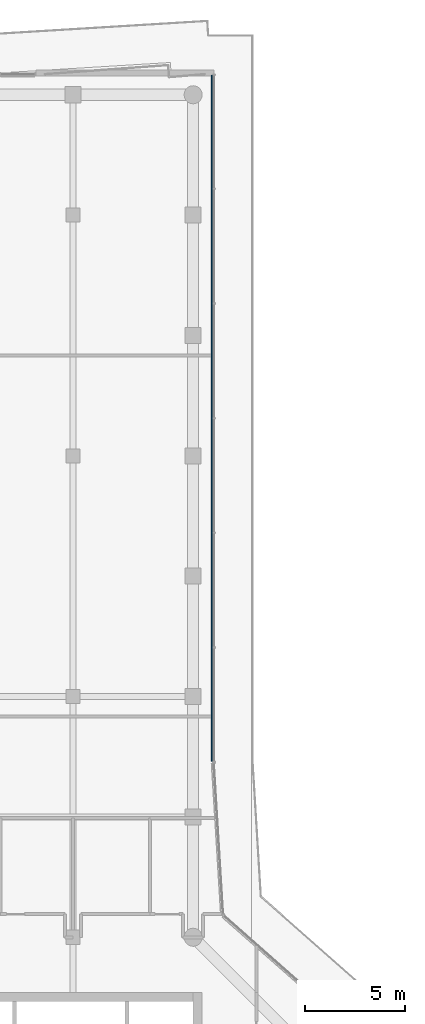
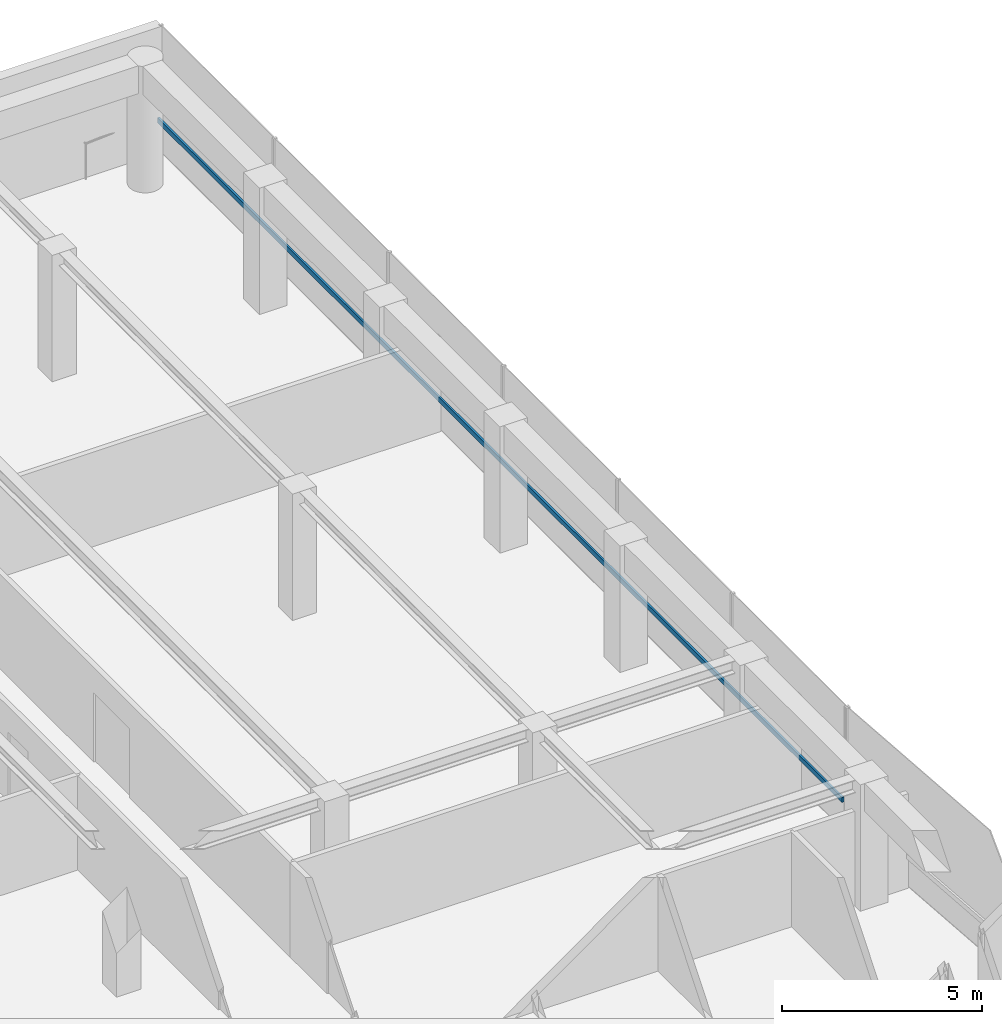
# One storey, part 13 of 21: 1 member, 1 element without a shape of its own.
"""IFC4 building model written with IfcOpenShell, lengths in metres."""

from ifc_helpers import new_model, si_unit, direction, frame, origin, origin_2d, place, context, subcontext, project, spatial, rectangle, extrude, material, layer, layer_set, material_profile, profile_set, type_object, element, aggregate, save


model = new_model("IFC4")

# Units and contexts
model_context = context("Model", 3, precision=1e-05, world=origin(), true_north=direction((0.0, 1.0)))
body_context = subcontext(model_context, "Body", "Model", "MODEL_VIEW")
ifc_project = project(units=[si_unit("LENGTHUNIT", "METRE"), si_unit("AREAUNIT", "SQUARE_METRE"), si_unit("VOLUMEUNIT", "CUBIC_METRE"), si_unit("PLANEANGLEUNIT", "RADIAN"), si_unit("MASSUNIT", "GRAM", prefix="KILO")], contexts=[model_context])

# Site, building, storey
site_placement = place(None, origin())
site = spatial("IfcSite", under=ifc_project, at=site_placement, CompositionType="ELEMENT")
building_placement = place(site_placement, origin())
building = spatial("IfcBuilding", under=site, at=building_placement, Name="Welwitschia Terrace Campus", CompositionType="ELEMENT")
storey_placement = place(building_placement, frame((0.0, 0.0, 213.800048828125)))
storey = spatial("IfcBuildingStorey", under=building, at=storey_placement, Name="L47", CompositionType="ELEMENT", Elevation=213.800048828125)

# Curtain wall, member
ifc_material_1 = material(Name="Bronze anodised aluminium", Category="aluminium")
ifc_layer = layer(ifc_material_1, 0.1201171875)
ifc_layer_set = layer_set([ifc_layer], Name="Bronze anodised aluminium")
curtain_wall_type = type_object("IfcCurtainWallType", Name="Curtain wall CW2 tower 6000", PredefinedType="NOTDEFINED", material=ifc_layer_set)
curtain_wall_placement = place(storey_placement, origin())
curtain_wall = element("IfcCurtainWall", 1, at=curtain_wall_placement, inside=storey, type_object=curtain_wall_type, Name="CW L47.6.0", PredefinedType="NOTDEFINED")
ifc_material_2 = material(Name="Bronze anodised aluminium", Category="aluminium")
ifc_material_profile = material_profile(ifc_material_2, rectangle(XDim=0.06005859375, YDim=0.14990234375, at=origin_2d()))
ifc_profile_set = profile_set([ifc_material_profile], Name="Bronze anodised aluminium")
member_type = type_object("IfcMemberType", Name="Transom 60x150", PredefinedType="USERDEFINED", material=ifc_profile_set)
member_placement = place(storey_placement, frame((24.93994140625, 36.785888671875, 1.0), z_axis=(0.0, 1.0, 0.0), x_axis=(-1.0, 0.0, 0.0)))
member = element("IfcMember", 2, at=member_placement, type_object=member_type, Name="Transom L47.6.0", ObjectType="TRANSOM", PredefinedType="USERDEFINED", context=body_context, shape_type="SweptSolid", body=[
    extrude(rectangle(XDim=0.06005859375, YDim=0.14990234375, at=origin_2d()), origin(), (0.0, 0.0, 1.0), 34.18408203125),
])
aggregate(curtain_wall, [member])

save(model, "model.ifc")
